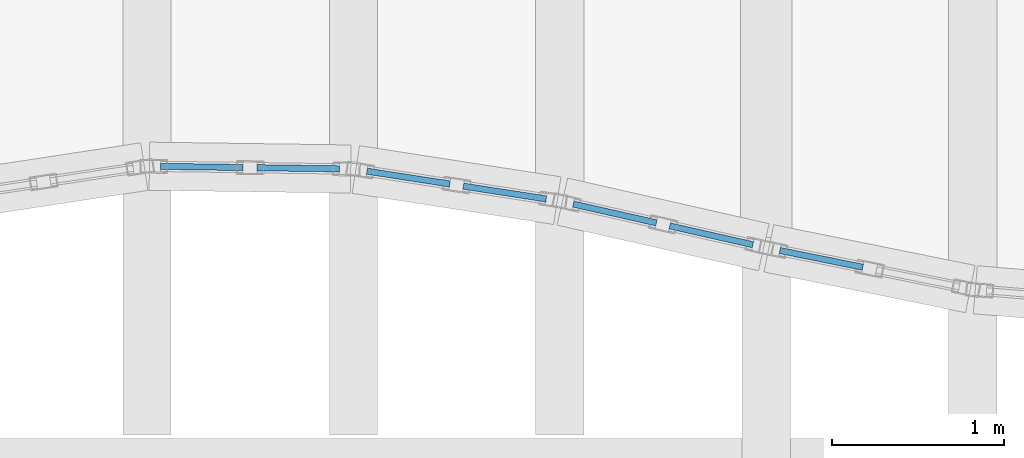
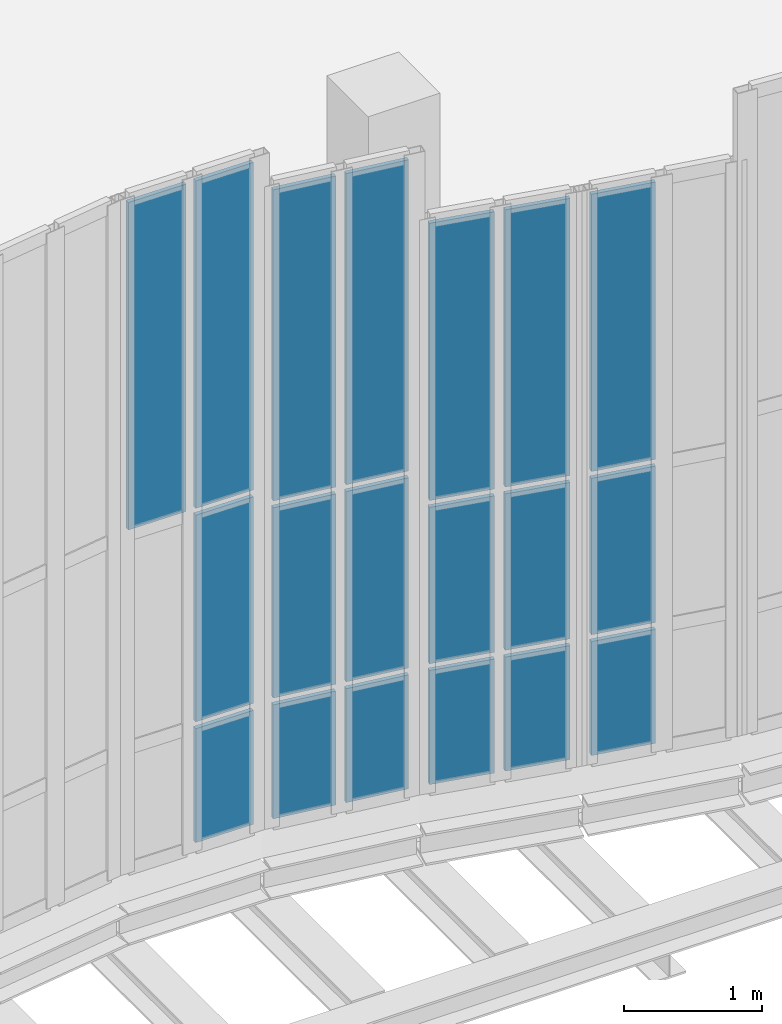
# One storey, part 55 of 76: 19 plates, 4 elements without a shape of their own.
"""IFC4 building model written with IfcOpenShell, lengths in metres."""

from ifc_helpers import new_model, si_unit, direction, frame, origin, origin_2d, place, context, subcontext, project, spatial, rectangle, extrude, material, layer, layer_set, type_object, element, aggregate, save


model = new_model("IFC4")

# Units and contexts
model_context = context("Model", 3, precision=1e-05, world=origin(), true_north=direction((0.0, 1.0)))
body_context = subcontext(model_context, "Body", "Model", "MODEL_VIEW")
ifc_project = project(units=[si_unit("LENGTHUNIT", "METRE"), si_unit("AREAUNIT", "SQUARE_METRE"), si_unit("VOLUMEUNIT", "CUBIC_METRE"), si_unit("PLANEANGLEUNIT", "RADIAN"), si_unit("MASSUNIT", "GRAM", prefix="KILO"), si_unit("THERMODYNAMICTEMPERATUREUNIT", "KELVIN"), si_unit("POWERUNIT", "WATT")], contexts=[model_context])

# Site, building, storey
site_placement = place(None, origin())
site = spatial("IfcSite", under=ifc_project, at=site_placement, CompositionType="ELEMENT")
building_placement = place(site_placement, origin())
building = spatial("IfcBuilding", under=site, at=building_placement, Name="Kaldorven Railside Theatre", CompositionType="ELEMENT")
storey_placement = place(building_placement, frame((0.0, 0.0, 14.39990234375)))
storey = spatial("IfcBuildingStorey", under=building, at=storey_placement, Name="L03", CompositionType="ELEMENT", Elevation=14.39990234375)

# Curtain wall, plates
ifc_material = material(Name="Low-E laminated solar-control glass", Category="glass")
ifc_layer_1 = layer(ifc_material, 0.159912109375, Name="Low-E laminated solar-control glass")
ifc_layer_set_1 = layer_set([ifc_layer_1], Name="Low-E laminated solar-control glass")
curtain_wall_type_1 = type_object("IfcCurtainWallType", Name="CWT-10", PredefinedType="USERDEFINED", material=ifc_layer_set_1)
curtain_wall_1_placement = place(storey_placement, origin())
curtain_wall_1 = element("IfcCurtainWall", 1, at=curtain_wall_1_placement, inside=storey, type_object=curtain_wall_type_1, Name="Sinusoidal Fluted Curtain Wall CW-L03-S40", ObjectType="FLUTED GLAZING", PredefinedType="USERDEFINED")
ifc_layer_2 = layer(ifc_material, 0.035888671875, Name="Low-E laminated solar-control glass")
ifc_layer_set_2 = layer_set([ifc_layer_2], Name="Low-E laminated solar-control glass")
plate_type = type_object("IfcPlateType", Name="CWP-CREST36", PredefinedType="CURTAIN_PANEL", material=ifc_layer_set_2)
plate_1_placement = place(storey_placement, frame((83.919921875, 16.81689453125, 3.020263671875), z_axis=(0.0, 0.0, 1.0), x_axis=(0.999904333174, -0.013832009936, 0.0)))
plate_1 = element("IfcPlate", 2, at=plate_1_placement, type_object=plate_type, Name="CW-L03-S40 panel 1.3", PredefinedType="CURTAIN_PANEL", context=body_context, shape_type="SweptSolid", body=[
    extrude(rectangle(XDim=0.47998046875, YDim=0.035888671875, at=origin_2d()), origin(), (0.0, 0.0, 1.0), 2.89990234375),
])
plate_2_placement = place(storey_placement, frame((84.47998046875, 16.80908203125, 0.06005859375), z_axis=(0.0, 0.0, 1.0), x_axis=(0.999904333174, -0.013832009936, 0.0)))
plate_2 = element("IfcPlate", 3, at=plate_2_placement, type_object=plate_type, Name="CW-L03-S40 panel 2.1", PredefinedType="CURTAIN_PANEL", context=body_context, shape_type="SweptSolid", body=[
    extrude(rectangle(XDim=0.47998046875, YDim=0.035888671875, at=origin_2d()), origin(), (0.0, 0.0, 1.0), 1.010009765625),
])
plate_3_placement = place(storey_placement, frame((84.47998046875, 16.80908203125, 1.130126953125), z_axis=(0.0, 0.0, 1.0), x_axis=(0.999904333174, -0.013832009936, 0.0)))
plate_3 = element("IfcPlate", 4, at=plate_3_placement, type_object=plate_type, Name="CW-L03-S40 panel 2.2", PredefinedType="CURTAIN_PANEL", context=body_context, shape_type="SweptSolid", body=[
    extrude(rectangle(XDim=0.47998046875, YDim=0.035888671875, at=origin_2d()), origin(), (0.0, 0.0, 1.0), 1.830078125),
])
plate_4_placement = place(storey_placement, frame((84.47998046875, 16.80908203125, 3.020263671875), z_axis=(0.0, 0.0, 1.0), x_axis=(0.999904333174, -0.013832009936, 0.0)))
plate_4 = element("IfcPlate", 5, at=plate_4_placement, type_object=plate_type, Name="CW-L03-S40 panel 2.3", PredefinedType="CURTAIN_PANEL", context=body_context, shape_type="SweptSolid", body=[
    extrude(rectangle(XDim=0.47998046875, YDim=0.035888671875, at=origin_2d()), origin(), (0.0, 0.0, 1.0), 2.89990234375),
])
aggregate(curtain_wall_1, [plate_1, plate_2, plate_3, plate_4])

ifc_layer_3 = layer(ifc_material, 0.159912109375, Name="Low-E laminated solar-control glass")
ifc_layer_set_3 = layer_set([ifc_layer_3], Name="Low-E laminated solar-control glass")
curtain_wall_type_2 = type_object("IfcCurtainWallType", Name="CWT-18", PredefinedType="USERDEFINED", material=ifc_layer_set_3)
curtain_wall_2_placement = place(storey_placement, origin())
curtain_wall_2 = element("IfcCurtainWall", 6, at=curtain_wall_2_placement, inside=storey, type_object=curtain_wall_type_2, Name="Sinusoidal Fluted Curtain Wall CW-L03-S41", ObjectType="FLUTED GLAZING", PredefinedType="USERDEFINED")
plate_5_placement = place(storey_placement, frame((85.119873046875, 16.755126953125, 0.06005859375), z_axis=(0.0, 0.0, 1.0), x_axis=(0.988224622989, -0.153010112468, 0.0)))
plate_5 = element("IfcPlate", 7, at=plate_5_placement, type_object=plate_type, Name="CW-L03-S41 panel 1.1", PredefinedType="CURTAIN_PANEL", context=body_context, shape_type="SweptSolid", body=[
    extrude(rectangle(XDim=0.487060546875, YDim=0.035888671875, at=origin_2d()), origin(), (0.0, 0.0, 1.0), 1.010009765625),
])
plate_6_placement = place(storey_placement, frame((85.119873046875, 16.755126953125, 1.130126953125), z_axis=(0.0, 0.0, 1.0), x_axis=(0.988224622989, -0.153010112468, 0.0)))
plate_6 = element("IfcPlate", 8, at=plate_6_placement, type_object=plate_type, Name="CW-L03-S41 panel 1.2", PredefinedType="CURTAIN_PANEL", context=body_context, shape_type="SweptSolid", body=[
    extrude(rectangle(XDim=0.487060546875, YDim=0.035888671875, at=origin_2d()), origin(), (0.0, 0.0, 1.0), 1.68505859375),
])
plate_7_placement = place(storey_placement, frame((85.119873046875, 16.755126953125, 2.875244140625), z_axis=(0.0, 0.0, 1.0), x_axis=(0.988224622989, -0.153010112468, 0.0)))
plate_7 = element("IfcPlate", 9, at=plate_7_placement, type_object=plate_type, Name="CW-L03-S41 panel 1.3", PredefinedType="CURTAIN_PANEL", context=body_context, shape_type="SweptSolid", body=[
    extrude(rectangle(XDim=0.487060546875, YDim=0.035888671875, at=origin_2d()), origin(), (0.0, 0.0, 1.0), 2.7548828125),
])
plate_8_placement = place(storey_placement, frame((85.68017578125, 16.668212890625, 0.06005859375), z_axis=(0.0, 0.0, 1.0), x_axis=(0.988224622989, -0.153010112468, 0.0)))
plate_8 = element("IfcPlate", 10, at=plate_8_placement, type_object=plate_type, Name="CW-L03-S41 panel 2.1", PredefinedType="CURTAIN_PANEL", context=body_context, shape_type="SweptSolid", body=[
    extrude(rectangle(XDim=0.487060546875, YDim=0.035888671875, at=origin_2d()), origin(), (0.0, 0.0, 1.0), 1.010009765625),
])
plate_9_placement = place(storey_placement, frame((85.68017578125, 16.668212890625, 1.130126953125), z_axis=(0.0, 0.0, 1.0), x_axis=(0.988224622989, -0.153010112468, 0.0)))
plate_9 = element("IfcPlate", 11, at=plate_9_placement, type_object=plate_type, Name="CW-L03-S41 panel 2.2", PredefinedType="CURTAIN_PANEL", context=body_context, shape_type="SweptSolid", body=[
    extrude(rectangle(XDim=0.487060546875, YDim=0.035888671875, at=origin_2d()), origin(), (0.0, 0.0, 1.0), 1.68505859375),
])
plate_10_placement = place(storey_placement, frame((85.68017578125, 16.668212890625, 2.875244140625), z_axis=(0.0, 0.0, 1.0), x_axis=(0.988224622989, -0.153010112468, 0.0)))
plate_10 = element("IfcPlate", 12, at=plate_10_placement, type_object=plate_type, Name="CW-L03-S41 panel 2.3", PredefinedType="CURTAIN_PANEL", context=body_context, shape_type="SweptSolid", body=[
    extrude(rectangle(XDim=0.487060546875, YDim=0.035888671875, at=origin_2d()), origin(), (0.0, 0.0, 1.0), 2.7548828125),
])
aggregate(curtain_wall_2, [plate_5, plate_6, plate_7, plate_8, plate_9, plate_10])

ifc_layer_4 = layer(ifc_material, 0.159912109375, Name="Low-E laminated solar-control glass")
ifc_layer_set_4 = layer_set([ifc_layer_4], Name="Low-E laminated solar-control glass")
curtain_wall_type_3 = type_object("IfcCurtainWallType", Name="CWT-19", PredefinedType="USERDEFINED", material=ifc_layer_set_4)
curtain_wall_3_placement = place(storey_placement, origin())
curtain_wall_3 = element("IfcCurtainWall", 13, at=curtain_wall_3_placement, inside=storey, type_object=curtain_wall_type_3, Name="Sinusoidal Fluted Curtain Wall CW-L03-S42", ObjectType="FLUTED GLAZING", PredefinedType="USERDEFINED")
plate_11_placement = place(storey_placement, frame((86.319580078125, 16.546630859375, 0.06005859375), z_axis=(0.0, 0.0, 1.0), x_axis=(0.975347967451, -0.220672477642, 0.0)))
plate_11 = element("IfcPlate", 14, at=plate_11_placement, type_object=plate_type, Name="CW-L03-S42 panel 1.1", PredefinedType="CURTAIN_PANEL", context=body_context, shape_type="SweptSolid", body=[
    extrude(rectangle(XDim=0.4951171875, YDim=0.035888671875, at=origin_2d()), origin(), (0.0, 0.0, 1.0), 1.010009765625),
])
plate_12_placement = place(storey_placement, frame((86.319580078125, 16.546630859375, 1.1298828125), z_axis=(0.0, 0.0, 1.0), x_axis=(0.975347967451, -0.220672477642, 0.0)))
plate_12 = element("IfcPlate", 15, at=plate_12_placement, type_object=plate_type, Name="CW-L03-S42 panel 1.2", PredefinedType="CURTAIN_PANEL", context=body_context, shape_type="SweptSolid", body=[
    extrude(rectangle(XDim=0.4951171875, YDim=0.035888671875, at=origin_2d()), origin(), (0.0, 0.0, 1.0), 1.385009765625),
])
plate_13_placement = place(storey_placement, frame((86.319580078125, 16.546630859375, 2.574951171875), z_axis=(0.0, 0.0, 1.0), x_axis=(0.975347967451, -0.220672477642, 0.0)))
plate_13 = element("IfcPlate", 16, at=plate_13_placement, type_object=plate_type, Name="CW-L03-S42 panel 1.3", PredefinedType="CURTAIN_PANEL", context=body_context, shape_type="SweptSolid", body=[
    extrude(rectangle(XDim=0.4951171875, YDim=0.035888671875, at=origin_2d()), origin(), (0.0, 0.0, 1.0), 2.455078125),
])
plate_14_placement = place(storey_placement, frame((86.88037109375, 16.419677734375, 0.06005859375), z_axis=(0.0, 0.0, 1.0), x_axis=(0.975347967451, -0.220672477642, 0.0)))
plate_14 = element("IfcPlate", 17, at=plate_14_placement, type_object=plate_type, Name="CW-L03-S42 panel 2.1", PredefinedType="CURTAIN_PANEL", context=body_context, shape_type="SweptSolid", body=[
    extrude(rectangle(XDim=0.4951171875, YDim=0.035888671875, at=origin_2d()), origin(), (0.0, 0.0, 1.0), 1.010009765625),
])
plate_15_placement = place(storey_placement, frame((86.88037109375, 16.419677734375, 1.1298828125), z_axis=(0.0, 0.0, 1.0), x_axis=(0.975347967451, -0.220672477642, 0.0)))
plate_15 = element("IfcPlate", 18, at=plate_15_placement, type_object=plate_type, Name="CW-L03-S42 panel 2.2", PredefinedType="CURTAIN_PANEL", context=body_context, shape_type="SweptSolid", body=[
    extrude(rectangle(XDim=0.4951171875, YDim=0.035888671875, at=origin_2d()), origin(), (0.0, 0.0, 1.0), 1.385009765625),
])
plate_16_placement = place(storey_placement, frame((86.88037109375, 16.419677734375, 2.574951171875), z_axis=(0.0, 0.0, 1.0), x_axis=(0.975347967451, -0.220672477642, 0.0)))
plate_16 = element("IfcPlate", 19, at=plate_16_placement, type_object=plate_type, Name="CW-L03-S42 panel 2.3", PredefinedType="CURTAIN_PANEL", context=body_context, shape_type="SweptSolid", body=[
    extrude(rectangle(XDim=0.4951171875, YDim=0.035888671875, at=origin_2d()), origin(), (0.0, 0.0, 1.0), 2.455078125),
])
aggregate(curtain_wall_3, [plate_11, plate_12, plate_13, plate_14, plate_15, plate_16])

ifc_layer_5 = layer(ifc_material, 0.159912109375, Name="Low-E laminated solar-control glass")
ifc_layer_set_5 = layer_set([ifc_layer_5], Name="Low-E laminated solar-control glass")
curtain_wall_type_4 = type_object("IfcCurtainWallType", Name="CWT-20", PredefinedType="USERDEFINED", material=ifc_layer_set_5)
curtain_wall_4_placement = place(storey_placement, origin())
curtain_wall_4 = element("IfcCurtainWall", 20, at=curtain_wall_4_placement, inside=storey, type_object=curtain_wall_type_4, Name="Sinusoidal Fluted Curtain Wall CW-L03-S43", ObjectType="FLUTED GLAZING", PredefinedType="USERDEFINED")
plate_17_placement = place(storey_placement, frame((87.51953125, 16.28271484375, 0.06005859375), z_axis=(0.0, 0.0, 1.0), x_axis=(0.980122525097, -0.198393134453, 0.0)))
plate_17 = element("IfcPlate", 21, at=plate_17_placement, type_object=plate_type, Name="CW-L03-S43 panel 1.1", PredefinedType="CURTAIN_PANEL", context=body_context, shape_type="SweptSolid", body=[
    extrude(rectangle(XDim=0.4921875, YDim=0.035888671875, at=origin_2d()), origin(), (0.0, 0.0, 1.0), 1.010009765625),
])
plate_18_placement = place(storey_placement, frame((87.51953125, 16.28271484375, 1.1298828125), z_axis=(0.0, 0.0, 1.0), x_axis=(0.980122525097, -0.198393134453, 0.0)))
plate_18 = element("IfcPlate", 22, at=plate_18_placement, type_object=plate_type, Name="CW-L03-S43 panel 1.2", PredefinedType="CURTAIN_PANEL", context=body_context, shape_type="SweptSolid", body=[
    extrude(rectangle(XDim=0.4921875, YDim=0.035888671875, at=origin_2d()), origin(), (0.0, 0.0, 1.0), 1.385009765625),
])
plate_19_placement = place(storey_placement, frame((87.51953125, 16.28271484375, 2.574951171875), z_axis=(0.0, 0.0, 1.0), x_axis=(0.980122525097, -0.198393134453, 0.0)))
plate_19 = element("IfcPlate", 23, at=plate_19_placement, type_object=plate_type, Name="CW-L03-S43 panel 1.3", PredefinedType="CURTAIN_PANEL", context=body_context, shape_type="SweptSolid", body=[
    extrude(rectangle(XDim=0.4921875, YDim=0.035888671875, at=origin_2d()), origin(), (0.0, 0.0, 1.0), 2.455078125),
])
aggregate(curtain_wall_4, [plate_17, plate_18, plate_19])

save(model, "model.ifc")
